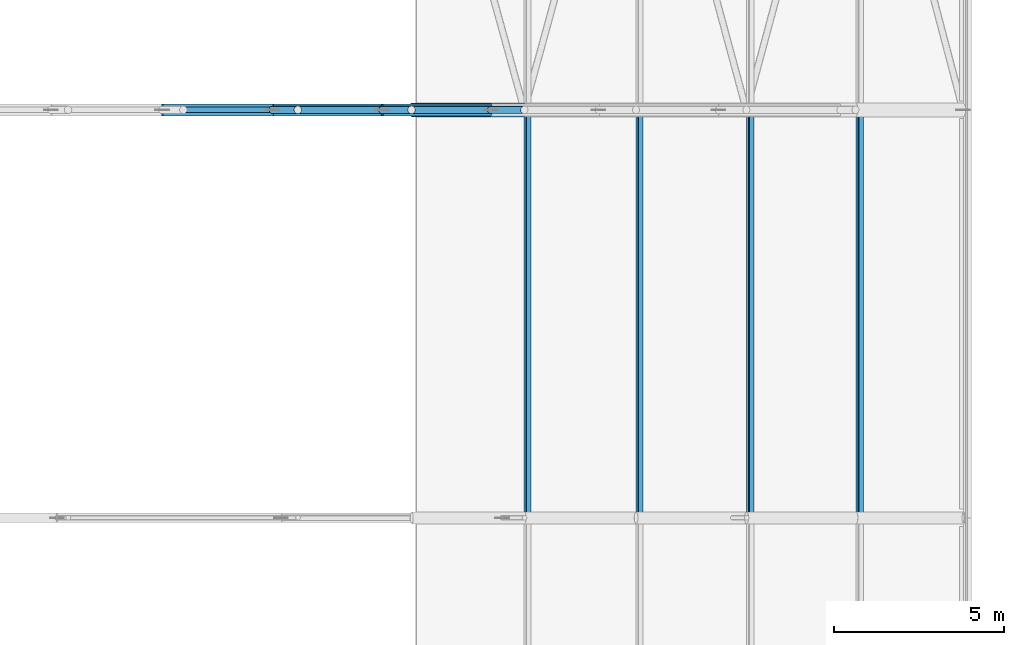
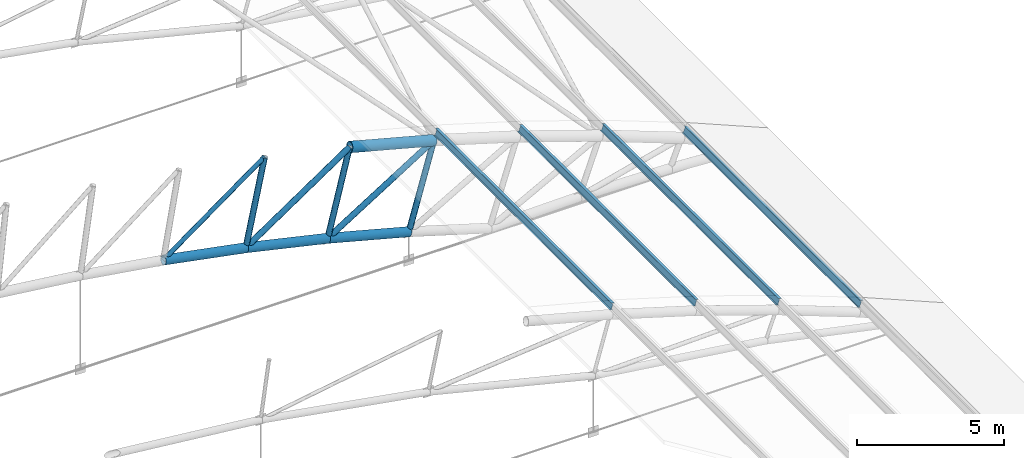
# One storey, part 185 of 321: 14 members.
"""IFC4 building model written with IfcOpenShell, lengths in metres."""

from ifc_helpers import new_model, si_unit, direction, frame, origin, origin_2d, place, context, subcontext, project, spatial, hollow_circle, i_section, extrude, material, material_profile, profile_set, type_object, element, save


model = new_model("IFC4")

# Units and contexts
model_context = context("Model", 3, precision=1e-05, world=origin(), true_north=direction((0.0, 1.0)))
body_context = subcontext(model_context, "Body", "Model", "MODEL_VIEW")
ifc_project = project(units=[si_unit("LENGTHUNIT", "METRE"), si_unit("AREAUNIT", "SQUARE_METRE"), si_unit("VOLUMEUNIT", "CUBIC_METRE"), si_unit("PLANEANGLEUNIT", "RADIAN"), si_unit("MASSUNIT", "GRAM", prefix="KILO")], contexts=[model_context])

# Site, building, storey
site_placement = place(None, origin())
site = spatial("IfcSite", under=ifc_project, at=site_placement, CompositionType="ELEMENT")
building_placement = place(site_placement, origin())
building = spatial("IfcBuilding", under=site, at=building_placement, Name="Ravi Spectrum Wholesale Market", CompositionType="ELEMENT")
storey_placement = place(building_placement, frame((0.0, 0.0, 10.800048828125)))
storey = spatial("IfcBuildingStorey", under=building, at=storey_placement, Name="L02", CompositionType="ELEMENT", Elevation=10.800048828125)

# Members
ifc_material_1 = material(Name="Steel S355", Category="steel")
ifc_material_profile_1 = material_profile(ifc_material_1, hollow_circle(Radius=0.084228515625, WallThickness=0.00634765625, at=origin_2d()))
ifc_profile_set_1 = profile_set([ifc_material_profile_1], Name="Steel S355")
member_type_1 = type_object("IfcMemberType", Name="CHS 168.3x6.3 brace", PredefinedType="BRACE", material=ifc_profile_set_1)
member_1_placement = place(storey_placement, frame((90.436279296875, 150.0, 6.27734375), z_axis=(-0.808703958366, 0.0, -0.588215868303), x_axis=(0.0, -1.0, 0.0)))
element("IfcMember", 1, at=member_1_placement, inside=storey, type_object=member_type_1, Name="H1-MB-L02-898", PredefinedType="BRACE", context=body_context, shape_type="SweptSolid", body=[
    extrude(hollow_circle(Radius=0.084228515625, WallThickness=0.00634765625, at=origin_2d()), origin(), (0.0, 0.0, 1.0), 4.9296875),
])
ifc_material_2 = material(Name="Steel S355", Category="steel")
ifc_material_profile_2 = material_profile(ifc_material_2, hollow_circle(Radius=0.109619140625, WallThickness=0.008056640625, at=origin_2d()))
ifc_profile_set_2 = profile_set([ifc_material_profile_2], Name="Steel S355")
member_type_2 = type_object("IfcMemberType", Name="CHS 219.1x8 brace", PredefinedType="BRACE", material=ifc_profile_set_2)
for number, where, z_axis, x_axis, name in (
    (2, (93.78076171875, 150.0, 5.514404296875), (-0.828544259915, 0.0, -0.559923574573), (0.0, -1.0, 0.0), "H1-MB-L02-899"),
    (3, (97.096923828125, 150.0, 4.63671875), (-0.847368909482, 0.0, -0.531004643335), (0.0, -1.0, 0.0), "H1-MB-L02-900"),
):
    element("IfcMember", number, at=place(storey_placement, frame(where, z_axis=z_axis, x_axis=x_axis)), inside=storey, type_object=member_type_2, Name=name, PredefinedType="BRACE", context=body_context, shape_type="SweptSolid", body=[
        extrude(hollow_circle(Radius=0.109619140625, WallThickness=0.008056640625, at=origin_2d()), origin(), (0.0, 0.0, 1.0), 4.9296875),
    ])
ifc_material_3 = material(Name="Steel S355", Category="steel")
ifc_material_profile_3 = material_profile(ifc_material_3, hollow_circle(Radius=0.109619140625, WallThickness=0.008056640625, at=origin_2d()))
ifc_profile_set_3 = profile_set([ifc_material_profile_3], Name="Steel S355")
member_type_3 = type_object("IfcMemberType", Name="CHS 219.1x8 post", PredefinedType="POST", material=ifc_profile_set_3)
member_2_placement = place(storey_placement, frame((90.436279296875, 150.0, 6.27734375), z_axis=(-0.205549060287, 0.0, -0.978646812602), x_axis=(0.0, -1.0, 0.0)))
element("IfcMember", 4, at=member_2_placement, inside=storey, type_object=member_type_3, Name="H1-MB-L02-876", PredefinedType="POST", context=body_context, shape_type="SweptSolid", body=[
    extrude(hollow_circle(Radius=0.109619140625, WallThickness=0.008056640625, at=origin_2d()), origin(), (0.0, 0.0, 1.0), 3.60009765625),
])
for number, where, z_axis, x_axis, name in (
    (5, (93.78076171875, 150.0, 5.514404296875), (-0.239199072456, 0.0, -0.970970547306), (0.0, -1.0, 0.0), "H1-MB-L02-877"),
    (6, (97.096923828125, 150.0, 4.63671875), (-0.272561766134, 0.0, -0.962138287172), (0.0, -1.0, 0.0), "H1-MB-L02-878"),
):
    element("IfcMember", number, at=place(storey_placement, frame(where, z_axis=z_axis, x_axis=x_axis)), inside=storey, type_object=member_type_3, Name=name, PredefinedType="POST", context=body_context, shape_type="SweptSolid", body=[
        extrude(hollow_circle(Radius=0.109619140625, WallThickness=0.008056640625, at=origin_2d()), origin(), (0.0, 0.0, 1.0), 3.599853515625),
    ])
ifc_material_4 = material(Name="Steel S355", Category="steel")
ifc_material_profile_4 = material_profile(ifc_material_4, hollow_circle(Radius=0.177734375, WallThickness=0.012451171875, at=origin_2d()))
ifc_profile_set_4 = profile_set([ifc_material_profile_4], Name="Steel S355")
member_type_4 = type_object("IfcMemberType", Name="CHS 355.6x12.5 chord", PredefinedType="CHORD", material=ifc_profile_set_4)
member_3_placement = place(storey_placement, frame((86.44970703125, 150.0, 3.377685546875), z_axis=(0.982051718756, 0.0, -0.188611828072), x_axis=(0.0, 1.0, 0.0)))
element("IfcMember", 7, at=member_3_placement, inside=storey, type_object=member_type_4, Name="H1-MB-L02-852", PredefinedType="CHORD", context=body_context, shape_type="SweptSolid", body=[
    extrude(hollow_circle(Radius=0.177734375, WallThickness=0.012451171875, at=origin_2d()), origin(), (0.0, 0.0, 1.0), 3.305908203125),
])
for number, where, z_axis, x_axis, name in (
    (8, (89.6962890625, 150.0, 2.754150390625), (0.974967923727, 0.0, -0.222345559217), (0.0, 1.0, 0.0), "H1-MB-L02-853"),
    (9, (92.919677734375, 150.0, 2.01904296875), (0.966710063159, 0.0, -0.255874292938), (0.0, 1.0, 0.0), "H1-MB-L02-854"),
):
    element("IfcMember", number, at=place(storey_placement, frame(where, z_axis=z_axis, x_axis=x_axis)), inside=storey, type_object=member_type_4, Name=name, PredefinedType="CHORD", context=body_context, shape_type="SweptSolid", body=[
        extrude(hollow_circle(Radius=0.177734375, WallThickness=0.012451171875, at=origin_2d()), origin(), (0.0, 0.0, 1.0), 3.30615234375),
    ])
ifc_material_5 = material(Name="Steel S355", Category="steel")
ifc_material_profile_5 = material_profile(ifc_material_5, hollow_circle(Radius=0.203125, WallThickness=0.01611328125, at=origin_2d()))
ifc_profile_set_5 = profile_set([ifc_material_profile_5], Name="Steel S355")
member_type_5 = type_object("IfcMemberType", Name="CHS 406.4x16 chord", PredefinedType="CHORD", material=ifc_profile_set_5)
member_4_placement = place(storey_placement, frame((93.78076171875, 150.0, 5.514404296875), z_axis=(0.966714030155, 0.0, -0.255859304896), x_axis=(0.0, 1.0, 0.0)))
element("IfcMember", 10, at=member_4_placement, inside=storey, type_object=member_type_5, Name="H1-MB-L02-830", PredefinedType="CHORD", context=body_context, shape_type="SweptSolid", body=[
    extrude(hollow_circle(Radius=0.203125, WallThickness=0.01611328125, at=origin_2d()), origin(), (0.0, 0.0, 1.0), 3.430419921875),
])
ifc_material_6 = material(Name="Steel S355", Category="steel")
ifc_material_profile_6 = material_profile(ifc_material_6, i_section(OverallWidth=0.135009765625, OverallDepth=0.27001953125, WebThickness=0.006591796875, FlangeThickness=0.01025390625, at=origin_2d()))
ifc_profile_set_6 = profile_set([ifc_material_profile_6], Name="Steel S355")
member_type_6 = type_object("IfcMemberType", Name="IPE 270 purlin", PredefinedType="PURLIN", material=ifc_profile_set_6)
for number, where, z_axis, x_axis, name in (
    (11, (97.18896484375, 138.0, 4.962158203125), (0.0, 1.0, 0.0), (-0.96215600485, 0.0, 0.272499215286), "H1-MB-L02-1479"),
    (12, (100.484130859375, 138.0, 3.96728515625), (0.0, 1.0, 0.0), (-0.952184497174, 0.0, 0.305523621577), "H1-MB-L02-1480"),
    (13, (103.74267578125, 138.0, 2.859375), (0.0, 1.0, 0.0), (-0.941079849597, 0.0, 0.338184441811), "H1-MB-L02-1481"),
    (14, (106.96142578125, 138.0, 1.6396484375), (0.0, 1.0, 0.0), (-0.928855283584, 0.0, 0.370442792017), "H1-MB-L02-1482"),
):
    element("IfcMember", number, at=place(storey_placement, frame(where, z_axis=z_axis, x_axis=x_axis)), inside=storey, type_object=member_type_6, Name=name, PredefinedType="PURLIN", context=body_context, shape_type="SweptSolid", body=[
        extrude(i_section(OverallWidth=0.135009765625, OverallDepth=0.27001953125, WebThickness=0.006591796875, FlangeThickness=0.01025390625, at=origin_2d()), origin(), (0.0, 0.0, 1.0), 12.0),
    ])

save(model, "model.ifc")
